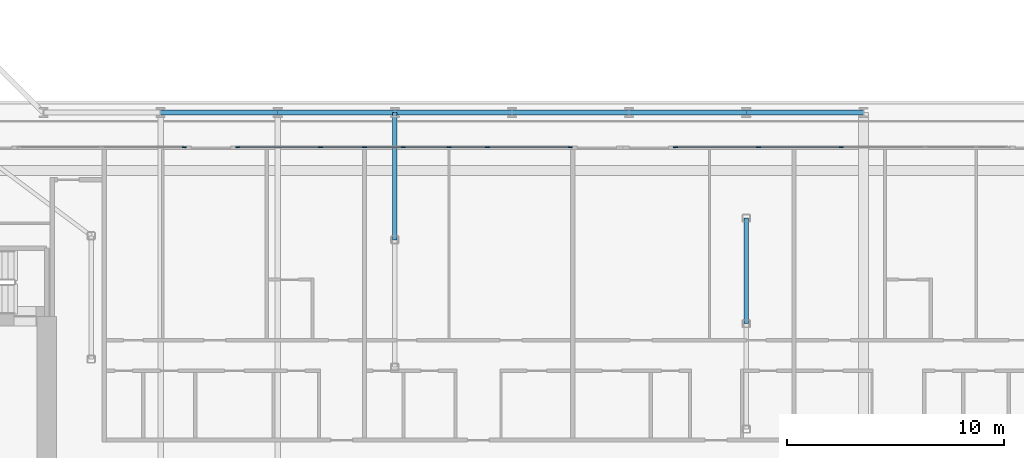
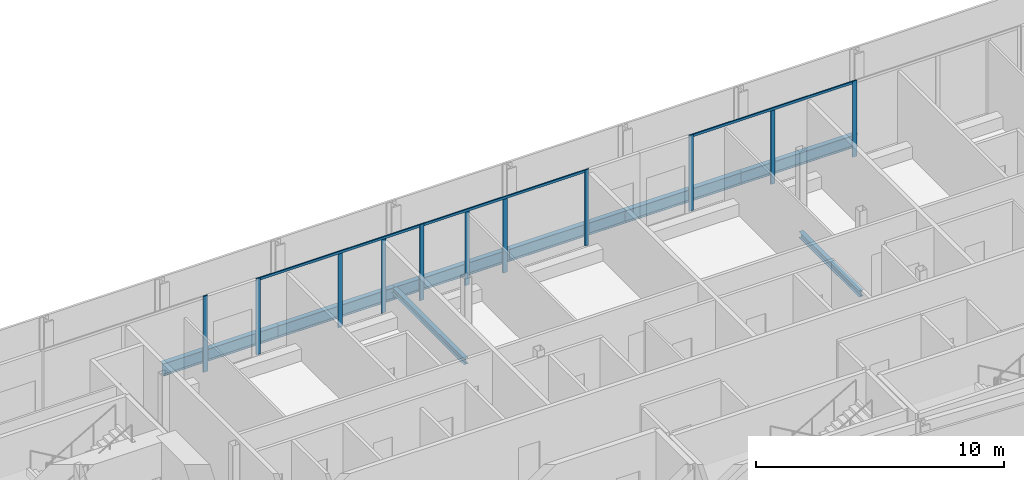
# One storey, part 6 of 27: 14 members, 8 beams, 4 elements without a shape of their own.
"""IFC4 building model written with IfcOpenShell, lengths in metres."""

from ifc_helpers import new_model, si_unit, direction, frame, origin, origin_2d, place, context, subcontext, project, spatial, rectangle, i_section, extrude, material, layer, layer_set, material_profile, profile_set, type_object, element, aggregate, save


model = new_model("IFC4")

# Units and contexts
model_context = context("Model", 3, precision=1e-05, world=origin(), true_north=direction((0.0, 1.0)))
body_context = subcontext(model_context, "Body", "Model", "MODEL_VIEW")
ifc_project = project(units=[si_unit("LENGTHUNIT", "METRE"), si_unit("AREAUNIT", "SQUARE_METRE"), si_unit("VOLUMEUNIT", "CUBIC_METRE"), si_unit("PLANEANGLEUNIT", "RADIAN"), si_unit("MASSUNIT", "GRAM", prefix="KILO")], contexts=[model_context])

# Site, building, storey
site_placement = place(None, origin())
site = spatial("IfcSite", under=ifc_project, at=site_placement, CompositionType="ELEMENT")
building_placement = place(site_placement, origin())
building = spatial("IfcBuilding", under=site, at=building_placement, Name="Kheshtan School and Residences Tower", CompositionType="ELEMENT")
storey_placement = place(building_placement, frame((0.0, 0.0, 101.89990234375)))
storey = spatial("IfcBuildingStorey", under=building, at=storey_placement, Name="L23", CompositionType="ELEMENT", Elevation=101.89990234375)

# Beams
ifc_material_1 = material(Name="Steel ASTM A992 Grade 50", Category="steel")
ifc_material_profile_1 = material_profile(ifc_material_1, i_section(OverallWidth=0.202880859375, OverallDepth=0.302978515625, WebThickness=0.007568359375, FlangeThickness=0.01318359375, FilletRadius=0.009033203125, at=origin_2d()), Name="W310x60")
ifc_profile_set_1 = profile_set([ifc_material_profile_1], Name="Steel ASTM A992 Grade 50")
beam_type_1 = type_object("IfcBeamType", Name="Beam FB1 W310x60 ASTM A992 Grade 50", PredefinedType="BEAM", material=ifc_profile_set_1)
beam_1_placement = place(storey_placement, frame((69.199951171875, 45.60009765625, -0.301513671875), z_axis=(0.0, -1.0, 0.0), x_axis=(1.0, 0.0, 0.0)))
element("IfcBeam", 1, at=beam_1_placement, inside=storey, type_object=beam_type_1, Name="Floor beam C064", PredefinedType="BEAM", context=body_context, shape_type="SweptSolid", body=[
    extrude(i_section(OverallWidth=0.202880859375, OverallDepth=0.302978515625, WebThickness=0.007568359375, FlangeThickness=0.01318359375, FilletRadius=0.009033203125, at=origin_2d()), origin(), (0.0, 0.0, 1.0), 5.8681640625),
])
beam_2_placement = place(storey_placement, frame((85.39990234375, 40.735107421875, -0.301513671875), z_axis=(0.0, -1.0, 0.0), x_axis=(1.0, 0.0, 0.0)))
element("IfcBeam", 2, at=beam_2_placement, inside=storey, type_object=beam_type_1, Name="Floor beam IC", PredefinedType="BEAM", context=body_context, shape_type="SweptSolid", body=[
    extrude(i_section(OverallWidth=0.202880859375, OverallDepth=0.302978515625, WebThickness=0.007568359375, FlangeThickness=0.01318359375, FilletRadius=0.009033203125, at=origin_2d()), origin(), (0.0, 0.0, 1.0), 4.864990234375),
])
ifc_material_profile_2 = material_profile(ifc_material_1, i_section(OverallWidth=0.22802734375, OverallDepth=0.60302734375, WebThickness=0.010498046875, FlangeThickness=0.014892578125, FilletRadius=0.013427734375, at=origin_2d()), Name="W610x101")
ifc_profile_set_2 = profile_set([ifc_material_profile_2], Name="Steel ASTM A992 Grade 50")
beam_type_2 = type_object("IfcBeamType", Name="Beam SP2 W610x101 ASTM A992 Grade 50", PredefinedType="BEAM", material=ifc_profile_set_2)
beam_3_placement = place(storey_placement, frame((58.39990234375, 45.60009765625, -0.451416015625), z_axis=(1.0, 0.0, 0.0), x_axis=(0.0, 1.0, 0.0)))
element("IfcBeam", 3, at=beam_3_placement, inside=storey, type_object=beam_type_2, Name="Spandrel beam C062-C063", PredefinedType="BEAM", context=body_context, shape_type="SweptSolid", body=[
    extrude(i_section(OverallWidth=0.22802734375, OverallDepth=0.60302734375, WebThickness=0.010498046875, FlangeThickness=0.014892578125, FilletRadius=0.013427734375, at=origin_2d()), origin(), (0.0, 0.0, 1.0), 5.400146484375),
])
beam_4_placement = place(storey_placement, frame((63.800048828125, 45.60009765625, -0.451416015625), z_axis=(1.0, 0.0, 0.0), x_axis=(0.0, 1.0, 0.0)))
element("IfcBeam", 4, at=beam_4_placement, inside=storey, type_object=beam_type_2, Name="Spandrel beam C063-C064", PredefinedType="BEAM", context=body_context, shape_type="SweptSolid", body=[
    extrude(i_section(OverallWidth=0.22802734375, OverallDepth=0.60302734375, WebThickness=0.010498046875, FlangeThickness=0.014892578125, FilletRadius=0.013427734375, at=origin_2d()), origin(), (0.0, 0.0, 1.0), 5.39990234375),
])
beam_5_placement = place(storey_placement, frame((69.199951171875, 45.60009765625, -0.451416015625), z_axis=(1.0, 0.0, 0.0), x_axis=(0.0, 1.0, 0.0)))
element("IfcBeam", 5, at=beam_5_placement, inside=storey, type_object=beam_type_2, Name="Spandrel beam C064-C065", PredefinedType="BEAM", context=body_context, shape_type="SweptSolid", body=[
    extrude(i_section(OverallWidth=0.22802734375, OverallDepth=0.60302734375, WebThickness=0.010498046875, FlangeThickness=0.014892578125, FilletRadius=0.013427734375, at=origin_2d()), origin(), (0.0, 0.0, 1.0), 5.400146484375),
])
for number, where, z_axis, x_axis, name in (
    (6, (74.60009765625, 45.60009765625, -0.451416015625), (1.0, 0.0, 0.0), (0.0, 1.0, 0.0), "Spandrel beam C065-C066"),
    (7, (80.0, 45.60009765625, -0.451416015625), (1.0, 0.0, 0.0), (0.0, 1.0, 0.0), "Spandrel beam C066-C067"),
):
    element("IfcBeam", number, at=place(storey_placement, frame(where, z_axis=z_axis, x_axis=x_axis)), inside=storey, type_object=beam_type_2, Name=name, PredefinedType="BEAM", context=body_context, shape_type="SweptSolid", body=[
        extrude(i_section(OverallWidth=0.22802734375, OverallDepth=0.60302734375, WebThickness=0.010498046875, FlangeThickness=0.014892578125, FilletRadius=0.013427734375, at=origin_2d()), origin(), (0.0, 0.0, 1.0), 5.39990234375),
    ])
beam_6_placement = place(storey_placement, frame((85.39990234375, 45.60009765625, -0.451416015625), z_axis=(1.0, 0.0, 0.0), x_axis=(0.0, 1.0, 0.0)))
element("IfcBeam", 8, at=beam_6_placement, inside=storey, type_object=beam_type_2, Name="Spandrel beam C067-C068", PredefinedType="BEAM", context=body_context, shape_type="SweptSolid", body=[
    extrude(i_section(OverallWidth=0.22802734375, OverallDepth=0.60302734375, WebThickness=0.010498046875, FlangeThickness=0.014892578125, FilletRadius=0.013427734375, at=origin_2d()), origin(), (0.0, 0.0, 1.0), 5.400146484375),
])

# Curtain wall, member
ifc_material_2 = material(Name="Clear low-e glass in thermally broken aluminium frame", Category="aluminium")
ifc_layer = layer(ifc_material_2, 0.199951171875)
ifc_layer_set = layer_set([ifc_layer], Name="Curtain wall CW-L")
curtain_wall_type = type_object("IfcCurtainWallType", Name="Curtain wall CW-L", PredefinedType="NOTDEFINED", material=ifc_layer_set)
curtain_wall_1_placement = place(storey_placement, origin())
curtain_wall_1 = element("IfcCurtainWall", 9, at=curtain_wall_1_placement, inside=storey, type_object=curtain_wall_type, Name="Curtain wall CWL8", PredefinedType="NOTDEFINED")
ifc_material_3 = material(Name="Thermally broken aluminium, dark bronze anodised", Category="aluminium")
ifc_material_profile_3 = material_profile(ifc_material_3, rectangle(XDim=0.06005859375, YDim=0.199951171875, at=origin_2d()), Name="CW-L mullion 60x200")
ifc_profile_set_3 = profile_set([ifc_material_profile_3], Name="Thermally broken aluminium, dark bronze anodised")
member_type_1 = type_object("IfcMemberType", Name="CW-L mullion 60x200", PredefinedType="MULLION", material=ifc_profile_set_3)
member_1_placement = place(storey_placement, frame((59.493896484375, 44.0, 0.0), z_axis=(0.0, 0.0, 1.0), x_axis=(0.0, 1.0, 0.0)))
member_1 = element("IfcMember", 10, at=member_1_placement, type_object=member_type_1, Name="CWL8 mullion 3", PredefinedType="MULLION", context=body_context, shape_type="SweptSolid", body=[
    extrude(rectangle(XDim=0.06005859375, YDim=0.199951171875, at=origin_2d()), origin(), (0.0, 0.0, 1.0), 3.75),
])
aggregate(curtain_wall_1, [member_1])

# Curtain wall, members
curtain_wall_2_placement = place(storey_placement, origin())
curtain_wall_2 = element("IfcCurtainWall", 11, at=curtain_wall_2_placement, inside=storey, type_object=curtain_wall_type, Name="Curtain wall CWL8c", PredefinedType="NOTDEFINED")
member_2_placement = place(storey_placement, frame((61.9541015625, 44.0, 0.0), z_axis=(0.0, 0.0, 1.0), x_axis=(0.0, 1.0, 0.0)))
member_2 = element("IfcMember", 12, at=member_2_placement, type_object=member_type_1, Name="CWL8c mullion 1", PredefinedType="MULLION", context=body_context, shape_type="SweptSolid", body=[
    extrude(rectangle(XDim=0.06005859375, YDim=0.199951171875, at=origin_2d()), origin(), (0.0, 0.0, 1.0), 3.75),
])
member_3_placement = place(storey_placement, frame((65.77099609375, 44.0, 0.0), z_axis=(0.0, 0.0, 1.0), x_axis=(0.0, 1.0, 0.0)))
member_3 = element("IfcMember", 13, at=member_3_placement, type_object=member_type_1, Name="CWL8c mullion 2", PredefinedType="MULLION", context=body_context, shape_type="SweptSolid", body=[
    extrude(rectangle(XDim=0.06005859375, YDim=0.199951171875, at=origin_2d()), origin(), (0.0, 0.0, 1.0), 3.630126953125),
])
member_4_placement = place(storey_placement, frame((67.800048828125, 44.0, 0.0), z_axis=(0.0, 0.0, 1.0), x_axis=(0.0, 1.0, 0.0)))
member_4 = element("IfcMember", 14, at=member_4_placement, type_object=member_type_1, Name="CWL8c mullion 3", PredefinedType="MULLION", context=body_context, shape_type="SweptSolid", body=[
    extrude(rectangle(XDim=0.06005859375, YDim=0.199951171875, at=origin_2d()), origin(), (0.0, 0.0, 1.0), 3.630126953125),
])
member_5_placement = place(storey_placement, frame((69.587890625, 44.0, 0.0), z_axis=(0.0, 0.0, 1.0), x_axis=(0.0, 1.0, 0.0)))
member_5 = element("IfcMember", 15, at=member_5_placement, type_object=member_type_1, Name="CWL8c mullion 4", PredefinedType="MULLION", context=body_context, shape_type="SweptSolid", body=[
    extrude(rectangle(XDim=0.06005859375, YDim=0.199951171875, at=origin_2d()), origin(), (0.0, 0.0, 1.0), 3.75),
])

curtain_wall_3_placement = place(storey_placement, origin())
curtain_wall_3 = element("IfcCurtainWall", 16, at=curtain_wall_3_placement, inside=storey, type_object=curtain_wall_type, Name="Curtain wall CWL8c", PredefinedType="NOTDEFINED")
member_6_placement = place(storey_placement, frame((71.699951171875, 44.0, 0.0), z_axis=(0.0, 0.0, 1.0), x_axis=(0.0, 1.0, 0.0)))
member_6 = element("IfcMember", 17, at=member_6_placement, type_object=member_type_1, Name="CWL8c mullion 2", PredefinedType="MULLION", context=body_context, shape_type="SweptSolid", body=[
    extrude(rectangle(XDim=0.06005859375, YDim=0.199951171875, at=origin_2d()), origin(), (0.0, 0.0, 1.0), 3.630126953125),
])
member_7_placement = place(storey_placement, frame((73.465087890625, 44.0, 0.0), z_axis=(0.0, 0.0, 1.0), x_axis=(0.0, 1.0, 0.0)))
member_7 = element("IfcMember", 18, at=member_7_placement, type_object=member_type_1, Name="CWL8c mullion 3", PredefinedType="MULLION", context=body_context, shape_type="SweptSolid", body=[
    extrude(rectangle(XDim=0.06005859375, YDim=0.199951171875, at=origin_2d()), origin(), (0.0, 0.0, 1.0), 3.630126953125),
])
member_8_placement = place(storey_placement, frame((77.281982421875, 44.0, 0.0), z_axis=(0.0, 0.0, 1.0), x_axis=(0.0, 1.0, 0.0)))
member_8 = element("IfcMember", 19, at=member_8_placement, type_object=member_type_1, Name="CWL8c mullion 4", PredefinedType="MULLION", context=body_context, shape_type="SweptSolid", body=[
    extrude(rectangle(XDim=0.06005859375, YDim=0.199951171875, at=origin_2d()), origin(), (0.0, 0.0, 1.0), 3.75),
])

curtain_wall_4_placement = place(storey_placement, origin())
curtain_wall_4 = element("IfcCurtainWall", 20, at=curtain_wall_4_placement, inside=storey, type_object=curtain_wall_type, Name="Curtain wall CWL8", PredefinedType="NOTDEFINED")
member_9_placement = place(storey_placement, frame((82.14208984375, 44.0, 0.0), z_axis=(0.0, 0.0, 1.0), x_axis=(0.0, 1.0, 0.0)))
member_9 = element("IfcMember", 21, at=member_9_placement, type_object=member_type_1, Name="CWL8 mullion 1", PredefinedType="MULLION", context=body_context, shape_type="SweptSolid", body=[
    extrude(rectangle(XDim=0.06005859375, YDim=0.199951171875, at=origin_2d()), origin(), (0.0, 0.0, 1.0), 3.75),
])
member_10_placement = place(storey_placement, frame((85.958984375, 44.0, 0.0), z_axis=(0.0, 0.0, 1.0), x_axis=(0.0, 1.0, 0.0)))
member_10 = element("IfcMember", 22, at=member_10_placement, type_object=member_type_1, Name="CWL8 mullion 2", PredefinedType="MULLION", context=body_context, shape_type="SweptSolid", body=[
    extrude(rectangle(XDim=0.06005859375, YDim=0.199951171875, at=origin_2d()), origin(), (0.0, 0.0, 1.0), 3.630126953125),
])
member_11_placement = place(storey_placement, frame((89.77587890625, 44.0, 0.0), z_axis=(0.0, 0.0, 1.0), x_axis=(0.0, 1.0, 0.0)))
member_11 = element("IfcMember", 23, at=member_11_placement, type_object=member_type_1, Name="CWL8 mullion 3", PredefinedType="MULLION", context=body_context, shape_type="SweptSolid", body=[
    extrude(rectangle(XDim=0.06005859375, YDim=0.199951171875, at=origin_2d()), origin(), (0.0, 0.0, 1.0), 3.75),
])

# Member
ifc_material_profile_4 = material_profile(ifc_material_3, rectangle(XDim=0.06005859375, YDim=0.1201171875, at=origin_2d()), Name="CW-L transom 60x120")
ifc_profile_set_4 = profile_set([ifc_material_profile_4], Name="Thermally broken aluminium, dark bronze anodised")
member_type_2 = type_object("IfcMemberType", Name="CW-L transom 60x120", PredefinedType="USERDEFINED", material=ifc_profile_set_4)
member_12_placement = place(storey_placement, frame((61.98388671875, 44.0, 3.690185546875), z_axis=(1.0, 0.0, 0.0), x_axis=(0.0, 1.0, 0.0)))
member_12 = element("IfcMember", 24, at=member_12_placement, type_object=member_type_2, Name="CWL8c transom 1", ObjectType="TRANSOM", PredefinedType="USERDEFINED", context=body_context, shape_type="SweptSolid", body=[
    extrude(rectangle(XDim=0.06005859375, YDim=0.1201171875, at=origin_2d()), origin(), (0.0, 0.0, 1.0), 7.57421875),
])

aggregate(curtain_wall_2, [member_2, member_3, member_4, member_5, member_12])

member_13_placement = place(storey_placement, frame((69.617919921875, 44.0, 3.690185546875), z_axis=(1.0, 0.0, 0.0), x_axis=(0.0, 1.0, 0.0)))
member_13 = element("IfcMember", 25, at=member_13_placement, type_object=member_type_2, Name="CWL8c transom 1", ObjectType="TRANSOM", PredefinedType="USERDEFINED", context=body_context, shape_type="SweptSolid", body=[
    extrude(rectangle(XDim=0.06005859375, YDim=0.1201171875, at=origin_2d()), origin(), (0.0, 0.0, 1.0), 7.634033203125),
])

aggregate(curtain_wall_3, [member_6, member_7, member_8, member_13])

member_14_placement = place(storey_placement, frame((82.172119140625, 44.0, 3.690185546875), z_axis=(1.0, 0.0, 0.0), x_axis=(0.0, 1.0, 0.0)))
member_14 = element("IfcMember", 26, at=member_14_placement, type_object=member_type_2, Name="CWL8 transom 1", ObjectType="TRANSOM", PredefinedType="USERDEFINED", context=body_context, shape_type="SweptSolid", body=[
    extrude(rectangle(XDim=0.06005859375, YDim=0.1201171875, at=origin_2d()), origin(), (0.0, 0.0, 1.0), 7.573974609375),
])

aggregate(curtain_wall_4, [member_9, member_10, member_11, member_14])

save(model, "model.ifc")
